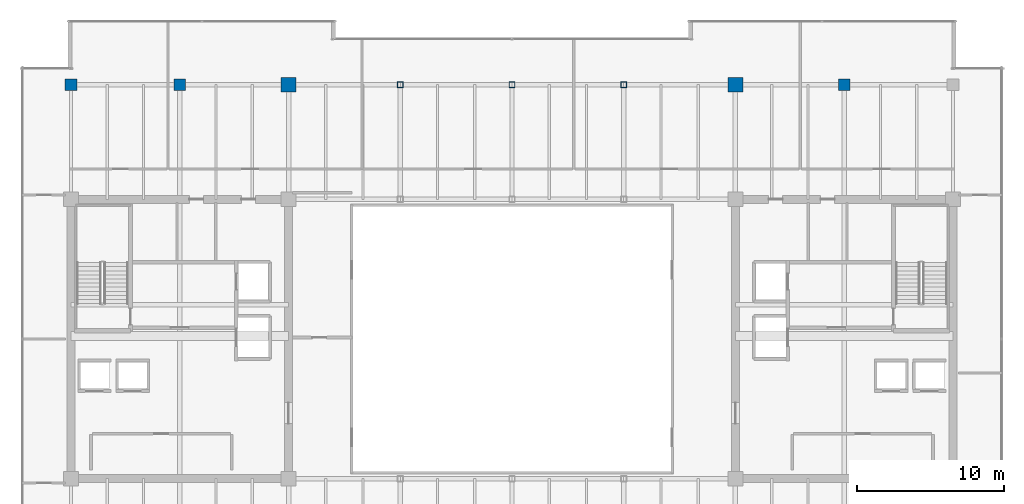
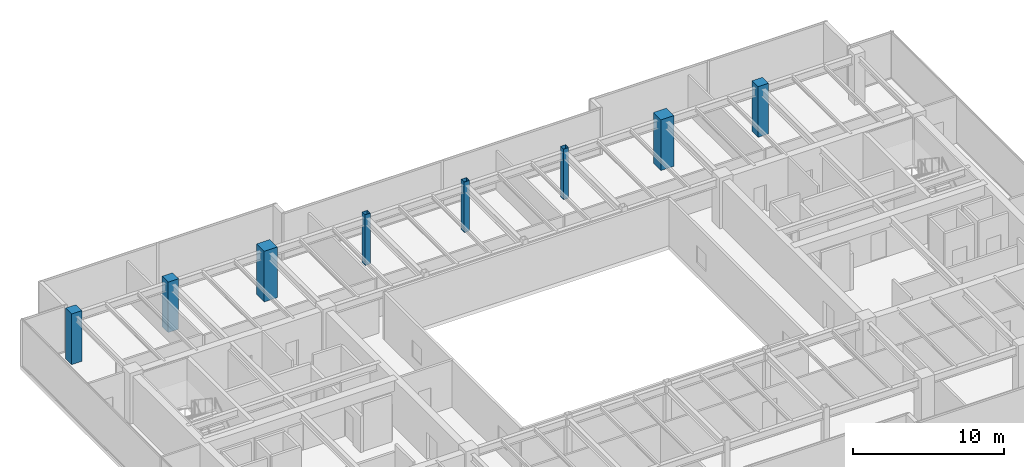
# One storey, part 3 of 33: 8 columns.
"""IFC4 building model written with IfcOpenShell, lengths in metres."""

from ifc_helpers import new_model, si_unit, direction, frame, origin, origin_2d, place, context, subcontext, project, spatial, rectangle, hollow_rectangle, extrude, source, transform, mapped, material, material_profile, profile_set, type_object, type_shapes, element, save


model = new_model("IFC4")

# Units and contexts
model_context = context("Model", 3, precision=1e-05, world=origin(), true_north=direction((0.0, 1.0)))
body_context = subcontext(model_context, "Body", "Model", "MODEL_VIEW")
ifc_project = project(units=[si_unit("LENGTHUNIT", "METRE"), si_unit("AREAUNIT", "SQUARE_METRE"), si_unit("VOLUMEUNIT", "CUBIC_METRE"), si_unit("PLANEANGLEUNIT", "RADIAN"), si_unit("MASSUNIT", "GRAM", prefix="KILO")], contexts=[model_context])

# Site, building, storey
site_placement = place(None, origin())
site = spatial("IfcSite", under=ifc_project, at=site_placement, CompositionType="ELEMENT")
building_placement = place(site_placement, origin())
building = spatial("IfcBuilding", under=site, at=building_placement, Name="Haelvirn Gate Laboratories", CompositionType="ELEMENT")
storey_placement = place(building_placement, frame((0.0, 0.0, 213.699951171875)))
storey = spatial("IfcBuildingStorey", under=building, at=storey_placement, Name="L51", CompositionType="ELEMENT", Elevation=213.699951171875)

# Columns
ifc_material_1 = material(Name="Concrete C60/75", Category="concrete")
ifc_material_profile_1 = material_profile(ifc_material_1, rectangle(XDim=1.0, YDim=1.0, at=origin_2d()), Name="RC-1000x1000")
ifc_profile_set_1 = profile_set([ifc_material_profile_1], Name="Concrete C60/75")
column_type_1 = type_object("IfcColumnType", Name="COL-RC-1000", PredefinedType="COLUMN", material=ifc_profile_set_1)
shared_shape_1 = source(origin(), body_context, "Body", "SweptSolid", [
    extrude(rectangle(XDim=1.0, YDim=1.0, at=origin_2d()), origin(), (0.0, 0.0, 1.0), 4.10009765625),
])
type_shapes(column_type_1, [shared_shape_1])
for number, where, z_axis, x_axis, name in (
    (1, (22.199951171875, 41.60009765625, 0.0), (0.0, 0.0, 1.0), (1.0, 0.0, 0.0), "L51 Column 4G"),
    (2, (52.60009765625, 41.60009765625, 0.0), (0.0, 0.0, 1.0), (1.0, 0.0, 0.0), "L51 Column 8G"),
):
    element("IfcColumn", number, at=place(storey_placement, frame(where, z_axis=z_axis, x_axis=x_axis)), inside=storey, type_object=column_type_1, Name=name, PredefinedType="COLUMN", context=body_context, shape_type="MappedRepresentation", body=[
        mapped(shared_shape_1, transform((0.0, 0.0, 0.0), scale=1.0)),
    ])
ifc_material_2 = material(Name="Concrete C50/60", Category="concrete")
ifc_material_profile_2 = material_profile(ifc_material_2, rectangle(XDim=0.800048828125, YDim=0.800048828125, at=origin_2d()), Name="RC-800x800")
ifc_profile_set_2 = profile_set([ifc_material_profile_2], Name="Concrete C50/60")
column_type_2 = type_object("IfcColumnType", Name="COL-RC-800", PredefinedType="COLUMN", material=ifc_profile_set_2)
shared_shape_2 = source(origin(), body_context, "Body", "SweptSolid", [
    extrude(rectangle(XDim=0.800048828125, YDim=0.800048828125, at=origin_2d()), origin(), (0.0, 0.0, 1.0), 4.10009765625),
])
type_shapes(column_type_2, [shared_shape_2])
for number, where, z_axis, x_axis, name in (
    (3, (14.800048828125, 41.60009765625, 0.0), (0.0, 0.0, 1.0), (1.0, 0.0, 0.0), "L51 Column 3G"),
    (4, (60.0, 41.60009765625, 0.0), (0.0, 0.0, 1.0), (1.0, 0.0, 0.0), "L51 Column 9G"),
    (5, (7.39990234375, 41.60009765625, 0.0), (0.0, 0.0, 1.0), (1.0, 0.0, 0.0), "L51 Column 2G"),
):
    element("IfcColumn", number, at=place(storey_placement, frame(where, z_axis=z_axis, x_axis=x_axis)), inside=storey, type_object=column_type_2, Name=name, PredefinedType="COLUMN", context=body_context, shape_type="MappedRepresentation", body=[
        mapped(shared_shape_2, transform((0.0, 0.0, 0.0), scale=1.0)),
    ])
ifc_material_3 = material(Name="Steel SM355", Category="steel")
ifc_material_profile_3 = material_profile(ifc_material_3, hollow_rectangle(XDim=0.39990234375, YDim=0.39990234375, WallThickness=0.01904296875, at=origin_2d()), Name="BOX-400x400x19")
ifc_profile_set_3 = profile_set([ifc_material_profile_3], Name="Steel SM355")
column_type_3 = type_object("IfcColumnType", Name="COL-BOX-400", PredefinedType="COLUMN", material=ifc_profile_set_3)
shared_shape_3 = source(origin(), body_context, "Body", "SweptSolid", [
    extrude(hollow_rectangle(XDim=0.39990234375, YDim=0.39990234375, WallThickness=0.01904296875, at=origin_2d()), origin(), (0.0, 0.0, 1.0), 4.10009765625),
])
type_shapes(column_type_3, [shared_shape_3])
for number, where, z_axis, x_axis, name in (
    (6, (29.800048828125, 41.60009765625, 0.0), (0.0, 0.0, 1.0), (1.0, 0.0, 0.0), "L51 Column 5G"),
    (7, (37.39990234375, 41.60009765625, 0.0), (0.0, 0.0, 1.0), (1.0, 0.0, 0.0), "L51 Column 6G"),
    (8, (45.0, 41.60009765625, 0.0), (0.0, 0.0, 1.0), (1.0, 0.0, 0.0), "L51 Column 7G"),
):
    element("IfcColumn", number, at=place(storey_placement, frame(where, z_axis=z_axis, x_axis=x_axis)), inside=storey, type_object=column_type_3, Name=name, PredefinedType="COLUMN", context=body_context, shape_type="MappedRepresentation", body=[
        mapped(shared_shape_3, transform((0.0, 0.0, 0.0), scale=1.0)),
    ])

save(model, "model.ifc")
